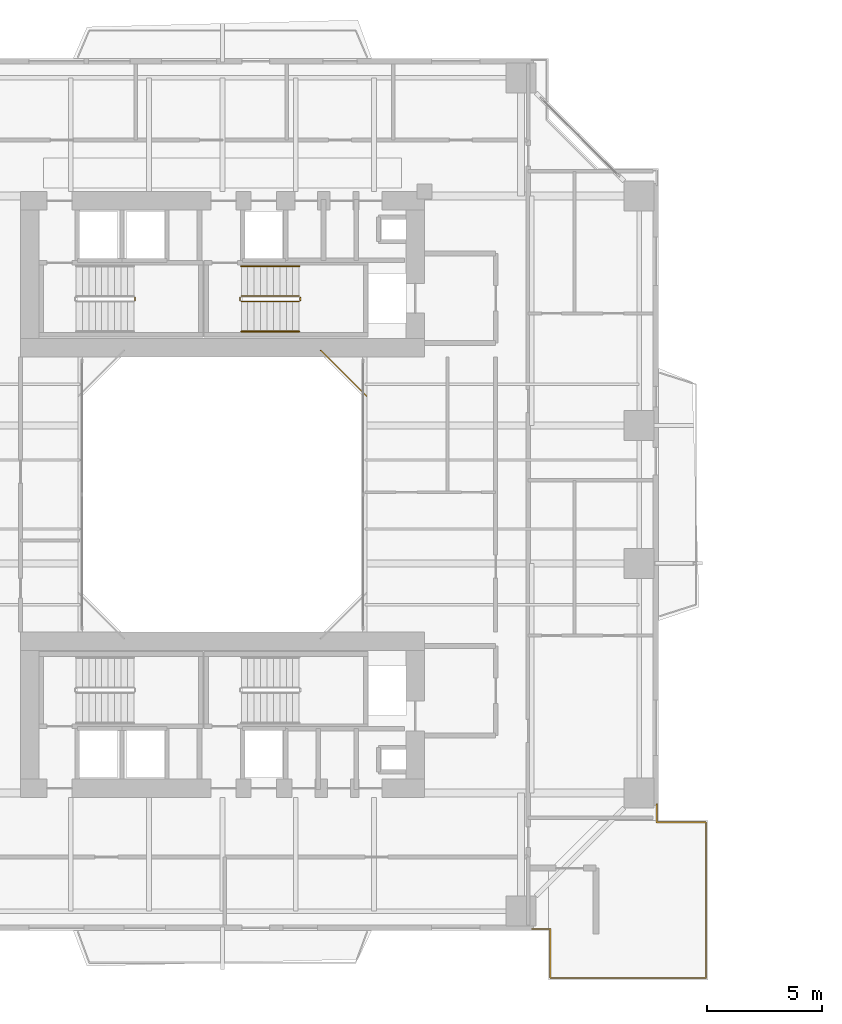
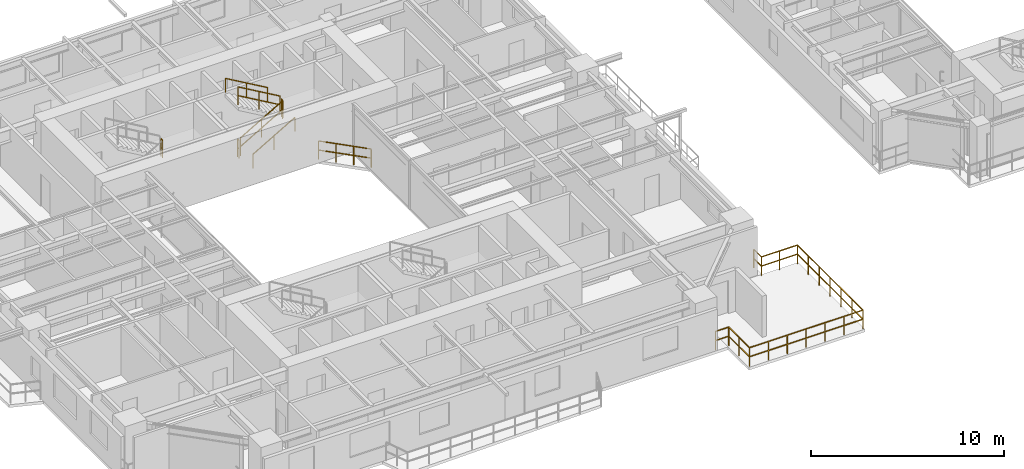
# One storey, part 21 of 23: 9 railings.
"""IFC4 building model written with IfcOpenShell, lengths in metres."""

from ifc_helpers import new_model, si_unit, direction, frame, origin, origin_2d, place, context, subcontext, project, spatial, rectangle, extrude, material, type_object, element, save


model = new_model("IFC4")

# Units and contexts
model_context = context("Model", 3, precision=1e-05, world=origin(), true_north=direction((0.0, 1.0)))
body_context = subcontext(model_context, "Body", "Model", "MODEL_VIEW")
ifc_project = project(units=[si_unit("LENGTHUNIT", "METRE"), si_unit("AREAUNIT", "SQUARE_METRE"), si_unit("VOLUMEUNIT", "CUBIC_METRE"), si_unit("PLANEANGLEUNIT", "RADIAN"), si_unit("MASSUNIT", "GRAM", prefix="KILO"), si_unit("THERMODYNAMICTEMPERATUREUNIT", "KELVIN"), si_unit("POWERUNIT", "WATT")], contexts=[model_context])

# Site, building, storey
site_placement = place(None, origin())
site = spatial("IfcSite", under=ifc_project, at=site_placement, CompositionType="ELEMENT")
building_placement = place(site_placement, origin())
building = spatial("IfcBuilding", under=site, at=building_placement, Name="Qiaomeng Ring Towers", CompositionType="ELEMENT")
storey_placement = place(building_placement, frame((0.0, 0.0, 73.0)))
storey = spatial("IfcBuildingStorey", under=building, at=storey_placement, Name="L20", CompositionType="ELEMENT", Elevation=73.0)

# Railings
ifc_material_1 = material(Name="Low-E pale-green laminated safety glass", Category="glass")
railing_type_1 = type_object("IfcRailingType", Name="ARC-RL-BAL1", PredefinedType="BALUSTRADE", material=ifc_material_1)
railing_1_placement = place(storey_placement, frame((25.280029296875, 27.280029296875, 0.0)))
element("IfcRailing", 1, at=railing_1_placement, inside=storey, type_object=railing_type_1, Name="L20 Balustrade ARC-BAL-WELL1-L20-2", PredefinedType="BALUSTRADE", context=body_context, shape_type="SweptSolid", body=[
    extrude(rectangle(XDim=0.048095703125, YDim=0.048095703125, at=origin_2d()), frame((0.0, 0.0, 1.17578125), z_axis=(-0.707106781187, 0.707106781187, 0.0), x_axis=(-0.707106781187, -0.707106781187, 0.0)), (0.0, 0.0, 1.0), 2.828369140625),
    extrude(rectangle(XDim=0.048095703125, YDim=0.048095703125, at=origin_2d()), frame((0.0, 0.0, 0.60009765625), z_axis=(-0.707106781187, 0.707106781187, 0.0), x_axis=(-0.707106781187, -0.707106781187, 0.0)), (0.0, 0.0, 1.0), 2.828369140625),
    extrude(rectangle(XDim=0.0419921875, YDim=0.0419921875, at=origin_2d()), origin(), (0.0, 0.0, 1.0), 1.15185546875),
    extrude(rectangle(XDim=0.0419921875, YDim=0.0419921875, at=origin_2d()), frame((-0.666748046875, 0.666748046875, 0.0)), (0.0, 0.0, 1.0), 1.15185546875),
    extrude(rectangle(XDim=0.0419921875, YDim=0.0419921875, at=origin_2d()), frame((-1.333251953125, 1.333251953125, 0.0)), (0.0, 0.0, 1.0), 1.15185546875),
    extrude(rectangle(XDim=0.0419921875, YDim=0.0419921875, at=origin_2d()), frame((-2.0, 2.0, 0.0)), (0.0, 0.0, 1.0), 1.15185546875),
])
railing_2_placement = place(storey_placement, frame((32.47998046875, 4.080078125, 0.0)))
element("IfcRailing", 2, at=railing_2_placement, inside=storey, type_object=railing_type_1, Name="L20 Balustrade ARC-BAL-L20-SPIRAL-SE", PredefinedType="BALUSTRADE", context=body_context, shape_type="SweptSolid", body=[
    extrude(rectangle(XDim=0.048095703125, YDim=0.048095703125, at=origin_2d()), frame((0.0, 0.0, 1.17578125), z_axis=(1.0, 0.0, 0.0), x_axis=(0.0, 1.0, 0.0)), (0.0, 0.0, 1.0), 0.800048828125),
    extrude(rectangle(XDim=0.048095703125, YDim=0.048095703125, at=origin_2d()), frame((0.0, 0.0, 0.60009765625), z_axis=(1.0, 0.0, 0.0), x_axis=(0.0, 1.0, 0.0)), (0.0, 0.0, 1.0), 0.800048828125),
    extrude(rectangle(XDim=0.048095703125, YDim=0.048095703125, at=origin_2d()), frame((0.800048828125, 0.0, 1.17578125), z_axis=(0.0, -1.0, 0.0), x_axis=(1.0, 0.0, 0.0)), (0.0, 0.0, 1.0), 2.150146484375),
    extrude(rectangle(XDim=0.048095703125, YDim=0.048095703125, at=origin_2d()), frame((0.800048828125, 0.0, 0.60009765625), z_axis=(0.0, -1.0, 0.0), x_axis=(1.0, 0.0, 0.0)), (0.0, 0.0, 1.0), 2.150146484375),
    extrude(rectangle(XDim=0.048095703125, YDim=0.048095703125, at=origin_2d()), frame((0.800048828125, -2.150146484375, 1.17578125), z_axis=(1.0, 0.0, 0.0), x_axis=(0.0, 1.0, 0.0)), (0.0, 0.0, 1.0), 6.7900390625),
    extrude(rectangle(XDim=0.048095703125, YDim=0.048095703125, at=origin_2d()), frame((0.800048828125, -2.150146484375, 0.60009765625), z_axis=(1.0, 0.0, 0.0), x_axis=(0.0, 1.0, 0.0)), (0.0, 0.0, 1.0), 6.7900390625),
    extrude(rectangle(XDim=0.048095703125, YDim=0.048095703125, at=origin_2d()), frame((7.590087890625, -2.150146484375, 1.17578125), z_axis=(0.0, 1.0, 0.0), x_axis=(-1.0, 0.0, 0.0)), (0.0, 0.0, 1.0), 6.7900390625),
    extrude(rectangle(XDim=0.048095703125, YDim=0.048095703125, at=origin_2d()), frame((7.590087890625, -2.150146484375, 0.60009765625), z_axis=(0.0, 1.0, 0.0), x_axis=(-1.0, 0.0, 0.0)), (0.0, 0.0, 1.0), 6.7900390625),
    extrude(rectangle(XDim=0.048095703125, YDim=0.048095703125, at=origin_2d()), frame((7.590087890625, 4.639892578125, 1.17578125), z_axis=(-1.0, 0.0, 0.0), x_axis=(0.0, -1.0, 0.0)), (0.0, 0.0, 1.0), 2.150146484375),
    extrude(rectangle(XDim=0.048095703125, YDim=0.048095703125, at=origin_2d()), frame((7.590087890625, 4.639892578125, 0.60009765625), z_axis=(-1.0, 0.0, 0.0), x_axis=(0.0, -1.0, 0.0)), (0.0, 0.0, 1.0), 2.150146484375),
    extrude(rectangle(XDim=0.048095703125, YDim=0.048095703125, at=origin_2d()), frame((5.43994140625, 4.639892578125, 1.17578125), z_axis=(0.0, 1.0, 0.0), x_axis=(-1.0, 0.0, 0.0)), (0.0, 0.0, 1.0), 0.800048828125),
    extrude(rectangle(XDim=0.048095703125, YDim=0.048095703125, at=origin_2d()), frame((5.43994140625, 4.639892578125, 0.60009765625), z_axis=(0.0, 1.0, 0.0), x_axis=(-1.0, 0.0, 0.0)), (0.0, 0.0, 1.0), 0.800048828125),
    extrude(rectangle(XDim=0.0419921875, YDim=0.0419921875, at=origin_2d()), origin(), (0.0, 0.0, 1.0), 1.15185546875),
    extrude(rectangle(XDim=0.0419921875, YDim=0.0419921875, at=origin_2d()), frame((0.800048828125, 0.0, 0.0)), (0.0, 0.0, 1.0), 1.15185546875),
    extrude(rectangle(XDim=0.0419921875, YDim=0.0419921875, at=origin_2d()), frame((0.800048828125, -1.0751953125, 0.0)), (0.0, 0.0, 1.0), 1.15185546875),
    extrude(rectangle(XDim=0.0419921875, YDim=0.0419921875, at=origin_2d()), frame((0.800048828125, -2.150146484375, 0.0)), (0.0, 0.0, 1.0), 1.15185546875),
    extrude(rectangle(XDim=0.0419921875, YDim=0.0419921875, at=origin_2d()), frame((1.931640625, -2.150146484375, 0.0)), (0.0, 0.0, 1.0), 1.15185546875),
    extrude(rectangle(XDim=0.0419921875, YDim=0.0419921875, at=origin_2d()), frame((3.0634765625, -2.150146484375, 0.0)), (0.0, 0.0, 1.0), 1.15185546875),
    extrude(rectangle(XDim=0.0419921875, YDim=0.0419921875, at=origin_2d()), frame((4.195068359375, -2.150146484375, 0.0)), (0.0, 0.0, 1.0), 1.15185546875),
    extrude(rectangle(XDim=0.0419921875, YDim=0.0419921875, at=origin_2d()), frame((5.32666015625, -2.150146484375, 0.0)), (0.0, 0.0, 1.0), 1.15185546875),
    extrude(rectangle(XDim=0.0419921875, YDim=0.0419921875, at=origin_2d()), frame((6.45849609375, -2.150146484375, 0.0)), (0.0, 0.0, 1.0), 1.15185546875),
    extrude(rectangle(XDim=0.0419921875, YDim=0.0419921875, at=origin_2d()), frame((7.590087890625, -2.150146484375, 0.0)), (0.0, 0.0, 1.0), 1.15185546875),
    extrude(rectangle(XDim=0.0419921875, YDim=0.0419921875, at=origin_2d()), frame((7.590087890625, -1.0185546875, 0.0)), (0.0, 0.0, 1.0), 1.15185546875),
    extrude(rectangle(XDim=0.0419921875, YDim=0.0419921875, at=origin_2d()), frame((7.590087890625, 0.11328125, 0.0)), (0.0, 0.0, 1.0), 1.15185546875),
    extrude(rectangle(XDim=0.0419921875, YDim=0.0419921875, at=origin_2d()), frame((7.590087890625, 1.244873046875, 0.0)), (0.0, 0.0, 1.0), 1.15185546875),
    extrude(rectangle(XDim=0.0419921875, YDim=0.0419921875, at=origin_2d()), frame((7.590087890625, 2.37646484375, 0.0)), (0.0, 0.0, 1.0), 1.15185546875),
    extrude(rectangle(XDim=0.0419921875, YDim=0.0419921875, at=origin_2d()), frame((7.590087890625, 3.50830078125, 0.0)), (0.0, 0.0, 1.0), 1.15185546875),
    extrude(rectangle(XDim=0.0419921875, YDim=0.0419921875, at=origin_2d()), frame((7.590087890625, 4.639892578125, 0.0)), (0.0, 0.0, 1.0), 1.15185546875),
    extrude(rectangle(XDim=0.0419921875, YDim=0.0419921875, at=origin_2d()), frame((6.51513671875, 4.639892578125, 0.0)), (0.0, 0.0, 1.0), 1.15185546875),
    extrude(rectangle(XDim=0.0419921875, YDim=0.0419921875, at=origin_2d()), frame((5.43994140625, 4.639892578125, 0.0)), (0.0, 0.0, 1.0), 1.15185546875),
    extrude(rectangle(XDim=0.0419921875, YDim=0.0419921875, at=origin_2d()), frame((5.43994140625, 5.43994140625, 0.0)), (0.0, 0.0, 1.0), 1.15185546875),
])
ifc_material_2 = material(Name="Galvanised steel", Category="steel")
railing_type_2 = type_object("IfcRailingType", Name="ARC-RL-GUARD", PredefinedType="GUARDRAIL", material=ifc_material_2)
railing_3_placement = place(storey_placement, frame((15.18994140625, 31.449951171875, 1.625)))
element("IfcRailing", 3, at=railing_3_placement, inside=storey, type_object=railing_type_2, Name="L20 ST1 stair guard 2", PredefinedType="GUARDRAIL", context=body_context, shape_type="SweptSolid", body=[
    extrude(rectangle(XDim=0.048095703125, YDim=0.048095703125, at=origin_2d()), frame((0.0, 0.0, 1.1259765625), z_axis=(0.0, 1.0, 0.0), x_axis=(-1.0, 0.0, 0.0)), (0.0, 0.0, 1.0), 0.14013671875),
    extrude(rectangle(XDim=0.048095703125, YDim=0.048095703125, at=origin_2d()), frame((0.0, 0.0, 0.574951171875), z_axis=(0.0, 1.0, 0.0), x_axis=(-1.0, 0.0, 0.0)), (0.0, 0.0, 1.0), 0.14013671875),
    extrude(rectangle(XDim=0.0419921875, YDim=0.0419921875, at=origin_2d()), origin(), (0.0, 0.0, 1.0), 1.101806640625),
    extrude(rectangle(XDim=0.0419921875, YDim=0.0419921875, at=origin_2d()), frame((0.0, 0.14013671875, 0.0)), (0.0, 0.0, 1.0), 1.101806640625),
])
railing_4_placement = place(storey_placement, frame((19.820068359375, 31.39990234375, 0.16259765625)))
element("IfcRailing", 4, at=railing_4_placement, inside=storey, type_object=railing_type_2, Name="L20 ST2 stair guard 1", PredefinedType="GUARDRAIL", context=body_context, shape_type="SweptSolid", body=[
    extrude(rectangle(XDim=0.048095703125, YDim=0.048095703125, at=origin_2d()), frame((0.0, 0.0, 1.1259765625), z_axis=(0.864913338283, 0.0, 0.50192122615), x_axis=(0.0, 1.0, 0.0)), (0.0, 0.0, 1.0), 2.91357421875),
    extrude(rectangle(XDim=0.048095703125, YDim=0.048095703125, at=origin_2d()), frame((0.0, 0.0, 0.574951171875), z_axis=(0.864913338283, 0.0, 0.50192122615), x_axis=(0.0, 1.0, 0.0)), (0.0, 0.0, 1.0), 2.91357421875),
    extrude(rectangle(XDim=0.0419921875, YDim=0.0419921875, at=origin_2d()), origin(), (0.0, 0.0, 1.0), 1.101806640625),
    extrude(rectangle(XDim=0.0419921875, YDim=0.0419921875, at=origin_2d()), frame((1.260009765625, 0.0, 0.731201171875)), (0.0, 0.0, 1.0), 1.101806640625),
    extrude(rectangle(XDim=0.0419921875, YDim=0.0419921875, at=origin_2d()), frame((2.52001953125, 0.0, 1.46240234375)), (0.0, 0.0, 1.0), 1.101806640625),
])
railing_5_placement = place(storey_placement, frame((22.389892578125, 31.449951171875, 1.625)))
element("IfcRailing", 5, at=railing_5_placement, inside=storey, type_object=railing_type_2, Name="L20 ST2 stair guard 2", PredefinedType="GUARDRAIL", context=body_context, shape_type="SweptSolid", body=[
    extrude(rectangle(XDim=0.048095703125, YDim=0.048095703125, at=origin_2d()), frame((0.0, 0.0, 1.1259765625), z_axis=(0.0, 1.0, 0.0), x_axis=(-1.0, 0.0, 0.0)), (0.0, 0.0, 1.0), 0.14013671875),
    extrude(rectangle(XDim=0.048095703125, YDim=0.048095703125, at=origin_2d()), frame((0.0, 0.0, 0.574951171875), z_axis=(0.0, 1.0, 0.0), x_axis=(-1.0, 0.0, 0.0)), (0.0, 0.0, 1.0), 0.14013671875),
    extrude(rectangle(XDim=0.0419921875, YDim=0.0419921875, at=origin_2d()), origin(), (0.0, 0.0, 1.0), 1.101806640625),
    extrude(rectangle(XDim=0.0419921875, YDim=0.0419921875, at=origin_2d()), frame((0.0, 0.14013671875, 0.0)), (0.0, 0.0, 1.0), 1.101806640625),
])
railing_6_placement = place(storey_placement, frame((22.340087890625, 31.639892578125, 1.78759765625)))
element("IfcRailing", 6, at=railing_6_placement, inside=storey, type_object=railing_type_2, Name="L20 ST2 stair guard 3", PredefinedType="GUARDRAIL", context=body_context, shape_type="SweptSolid", body=[
    extrude(rectangle(XDim=0.048095703125, YDim=0.048095703125, at=origin_2d()), frame((0.0, 0.0, 1.1259765625), z_axis=(-0.864913338283, 0.0, 0.50192122615), x_axis=(0.0, -1.0, 0.0)), (0.0, 0.0, 1.0), 2.91357421875),
    extrude(rectangle(XDim=0.048095703125, YDim=0.048095703125, at=origin_2d()), frame((0.0, 0.0, 0.574951171875), z_axis=(-0.864913338283, 0.0, 0.50192122615), x_axis=(0.0, -1.0, 0.0)), (0.0, 0.0, 1.0), 2.91357421875),
    extrude(rectangle(XDim=0.0419921875, YDim=0.0419921875, at=origin_2d()), origin(), (0.0, 0.0, 1.0), 1.101806640625),
    extrude(rectangle(XDim=0.0419921875, YDim=0.0419921875, at=origin_2d()), frame((-1.260009765625, 0.0, 0.731201171875)), (0.0, 0.0, 1.0), 1.101806640625),
    extrude(rectangle(XDim=0.0419921875, YDim=0.0419921875, at=origin_2d()), frame((-2.52001953125, 0.0, 1.46240234375)), (0.0, 0.0, 1.0), 1.101806640625),
])
railing_7_placement = place(storey_placement, frame((19.77001953125, 31.449951171875, 0.0)))
element("IfcRailing", 7, at=railing_7_placement, inside=storey, type_object=railing_type_2, Name="L20 ST2 stair guard 4", PredefinedType="GUARDRAIL", context=body_context, shape_type="SweptSolid", body=[
    extrude(rectangle(XDim=0.048095703125, YDim=0.048095703125, at=origin_2d()), frame((0.0, 0.0, 1.1259765625), z_axis=(0.0, 1.0, 0.0), x_axis=(-1.0, 0.0, 0.0)), (0.0, 0.0, 1.0), 0.14013671875),
    extrude(rectangle(XDim=0.048095703125, YDim=0.048095703125, at=origin_2d()), frame((0.0, 0.0, 0.574951171875), z_axis=(0.0, 1.0, 0.0), x_axis=(-1.0, 0.0, 0.0)), (0.0, 0.0, 1.0), 0.14013671875),
    extrude(rectangle(XDim=0.0419921875, YDim=0.0419921875, at=origin_2d()), origin(), (0.0, 0.0, 1.0), 1.101806640625),
    extrude(rectangle(XDim=0.0419921875, YDim=0.0419921875, at=origin_2d()), frame((0.0, 0.14013671875, 0.0)), (0.0, 0.0, 1.0), 1.101806640625),
])
ifc_material_3 = material(Name="Stainless steel 316", Category="steel")
railing_type_3 = type_object("IfcRailingType", Name="ARC-RL-HAND", PredefinedType="HANDRAIL", material=ifc_material_3)
railing_8_placement = place(storey_placement, frame((19.820068359375, 30.10009765625, 0.16259765625)))
element("IfcRailing", 8, at=railing_8_placement, inside=storey, type_object=railing_type_3, Name="L20 ST2 stair handrail 1", PredefinedType="HANDRAIL", context=body_context, shape_type="SweptSolid", body=[
    extrude(rectangle(XDim=0.048095703125, YDim=0.048095703125, at=origin_2d()), frame((0.0, 0.0, 0.8759765625), z_axis=(0.864913338283, 0.0, 0.50192122615), x_axis=(0.0, 1.0, 0.0)), (0.0, 0.0, 1.0), 2.91357421875),
    extrude(rectangle(XDim=0.0419921875, YDim=0.0419921875, at=origin_2d()), origin(), (0.0, 0.0, 1.0), 0.851806640625),
    extrude(rectangle(XDim=0.0419921875, YDim=0.0419921875, at=origin_2d()), frame((1.260009765625, 0.0, 0.731201171875)), (0.0, 0.0, 1.0), 0.851806640625),
    extrude(rectangle(XDim=0.0419921875, YDim=0.0419921875, at=origin_2d()), frame((2.52001953125, 0.0, 1.46240234375)), (0.0, 0.0, 1.0), 0.851806640625),
])
railing_9_placement = place(storey_placement, frame((22.340087890625, 32.93994140625, 1.78759765625)))
element("IfcRailing", 9, at=railing_9_placement, inside=storey, type_object=railing_type_3, Name="L20 ST2 stair handrail 2", PredefinedType="HANDRAIL", context=body_context, shape_type="SweptSolid", body=[
    extrude(rectangle(XDim=0.048095703125, YDim=0.048095703125, at=origin_2d()), frame((0.0, 0.0, 0.8759765625), z_axis=(-0.864913338283, 0.0, 0.50192122615), x_axis=(0.0, -1.0, 0.0)), (0.0, 0.0, 1.0), 2.91357421875),
    extrude(rectangle(XDim=0.0419921875, YDim=0.0419921875, at=origin_2d()), origin(), (0.0, 0.0, 1.0), 0.851806640625),
    extrude(rectangle(XDim=0.0419921875, YDim=0.0419921875, at=origin_2d()), frame((-1.260009765625, 0.0, 0.731201171875)), (0.0, 0.0, 1.0), 0.851806640625),
    extrude(rectangle(XDim=0.0419921875, YDim=0.0419921875, at=origin_2d()), frame((-2.52001953125, 0.0, 1.46240234375)), (0.0, 0.0, 1.0), 0.851806640625),
])

save(model, "model.ifc")
